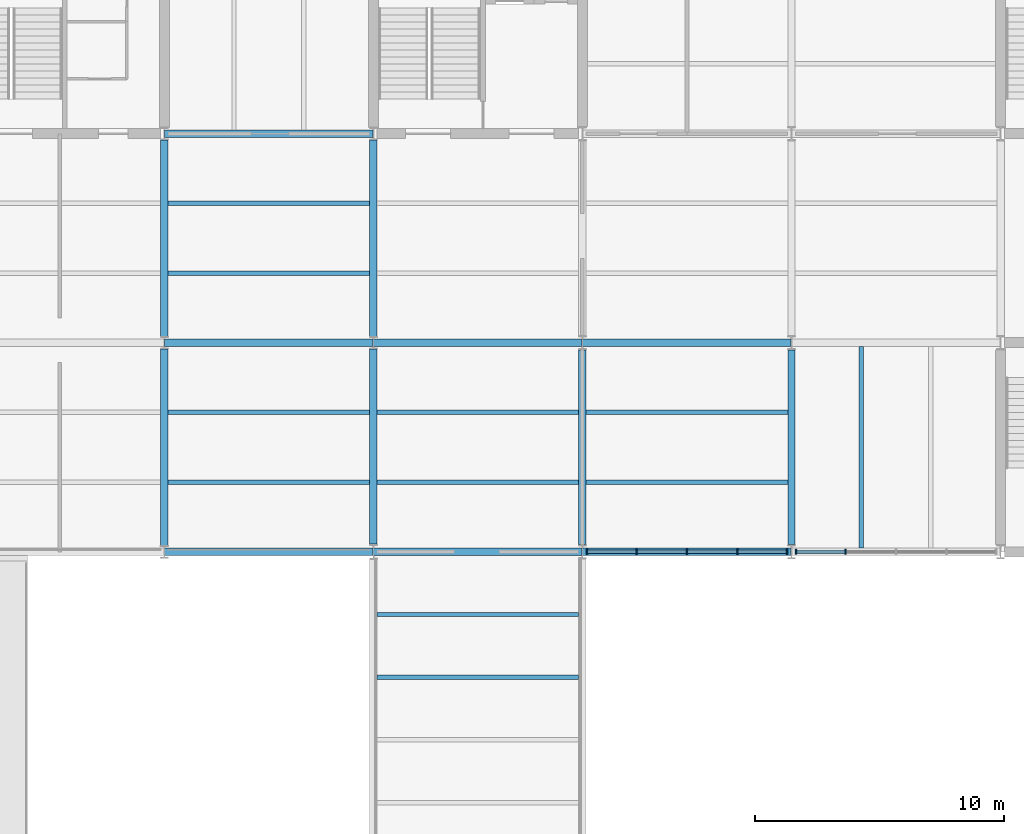
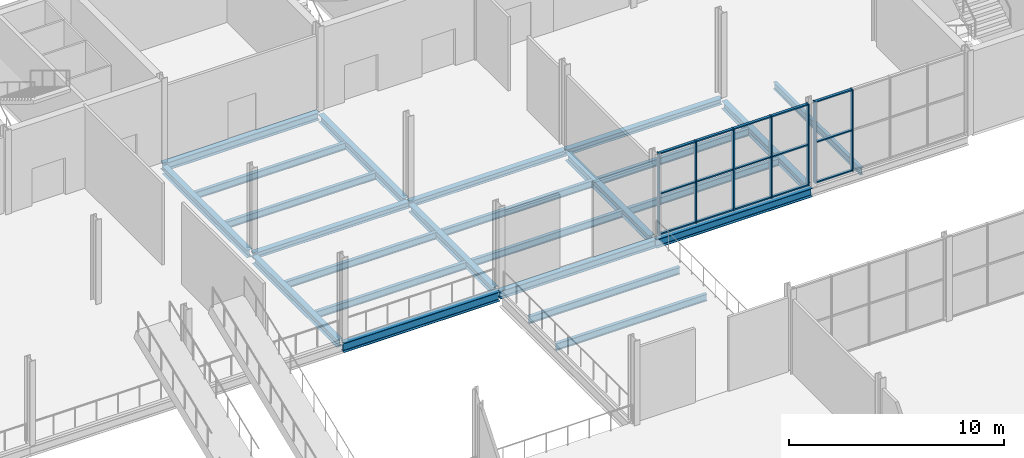
# One storey, part 25 of 61: 24 beams, 22 members, 2 elements without a shape of their own.
"""IFC4 building model written with IfcOpenShell, lengths in metres."""

from ifc_helpers import new_model, si_unit, direction, frame, origin, origin_2d, place, context, subcontext, project, spatial, rectangle, i_section, extrude, material, layer, layer_set, material_profile, profile_set, type_object, element, aggregate, save


model = new_model("IFC4")

# Units and contexts
model_context = context("Model", 3, precision=1e-05, world=origin(), true_north=direction((0.0, 1.0)))
body_context = subcontext(model_context, "Body", "Model", "MODEL_VIEW")
ifc_project = project(units=[si_unit("LENGTHUNIT", "METRE"), si_unit("AREAUNIT", "SQUARE_METRE"), si_unit("VOLUMEUNIT", "CUBIC_METRE"), si_unit("PLANEANGLEUNIT", "RADIAN"), si_unit("MASSUNIT", "GRAM", prefix="KILO")], contexts=[model_context])

# Site, building, storey
site_placement = place(None, origin())
site = spatial("IfcSite", under=ifc_project, at=site_placement, CompositionType="ELEMENT")
building_placement = place(site_placement, origin())
building = spatial("IfcBuilding", under=site, at=building_placement, Name="Galleria Vessillo Department Store", CompositionType="ELEMENT")
storey_placement = place(building_placement, frame((0.0, 0.0, 11.39990234375)))
storey = spatial("IfcBuildingStorey", under=building, at=storey_placement, Name="L02", CompositionType="ELEMENT", Elevation=11.39990234375)

# Curtain wall, members
ifc_material_1 = material(Name="Aluminium and glass curtain wall", Category="aluminium")
ifc_layer = layer(ifc_material_1, 0.199951171875)
ifc_layer_set = layer_set([ifc_layer], Name="Aluminium and glass curtain wall")
curtain_wall_type = type_object("IfcCurtainWallType", Name="Arcade curtain wall CW1 2100 module", PredefinedType="NOTDEFINED", material=ifc_layer_set)
curtain_wall_1_placement = place(storey_placement, origin())
curtain_wall_1 = element("IfcCurtainWall", 1, at=curtain_wall_1_placement, inside=storey, type_object=curtain_wall_type, Name="Arcade curtain wall CW1 2100 module AI-AE-N-L02-01", PredefinedType="NOTDEFINED")
ifc_material_2 = material(Name="Aluminium alloy 6063 T6", Category="aluminium")
ifc_material_profile_1 = material_profile(ifc_material_2, rectangle(XDim=0.199951171875, YDim=0.06005859375, at=origin_2d()), Name="AL 60x200")
ifc_profile_set_1 = profile_set([ifc_material_profile_1], Name="Aluminium alloy 6063 T6")
member_type_1 = type_object("IfcMemberType", Name="Aluminium mullion 60 x 200", PredefinedType="MULLION", material=ifc_profile_set_1)
member_1_placement = place(storey_placement, frame((84.18310546875, 37.800048828125, 0.0), z_axis=(0.0, 0.0, 1.0), x_axis=(0.0, 1.0, 0.0)))
member_1 = element("IfcMember", 2, at=member_1_placement, type_object=member_type_1, Name="CW1 mullion 1", PredefinedType="MULLION", context=body_context, shape_type="SweptSolid", body=[
    extrude(rectangle(XDim=0.199951171875, YDim=0.06005859375, at=origin_2d()), origin(), (0.0, 0.0, 1.0), 4.650146484375),
])
member_2_placement = place(storey_placement, frame((86.176513671875, 37.800048828125, 0.0), z_axis=(0.0, 0.0, 1.0), x_axis=(0.0, 1.0, 0.0)))
member_2 = element("IfcMember", 3, at=member_2_placement, type_object=member_type_1, Name="CW1 mullion 2", PredefinedType="MULLION", context=body_context, shape_type="SweptSolid", body=[
    extrude(rectangle(XDim=0.199951171875, YDim=0.06005859375, at=origin_2d()), origin(), (0.0, 0.0, 1.0), 4.650146484375),
])
member_3_placement = place(storey_placement, frame((88.199951171875, 37.800048828125, 0.0), z_axis=(0.0, 0.0, 1.0), x_axis=(0.0, 1.0, 0.0)))
member_3 = element("IfcMember", 4, at=member_3_placement, type_object=member_type_1, Name="CW1 mullion 3", PredefinedType="MULLION", context=body_context, shape_type="SweptSolid", body=[
    extrude(rectangle(XDim=0.199951171875, YDim=0.06005859375, at=origin_2d()), origin(), (0.0, 0.0, 1.0), 4.650146484375),
])
member_4_placement = place(storey_placement, frame((90.223388671875, 37.800048828125, 0.0), z_axis=(0.0, 0.0, 1.0), x_axis=(0.0, 1.0, 0.0)))
member_4 = element("IfcMember", 5, at=member_4_placement, type_object=member_type_1, Name="CW1 mullion 4", PredefinedType="MULLION", context=body_context, shape_type="SweptSolid", body=[
    extrude(rectangle(XDim=0.199951171875, YDim=0.06005859375, at=origin_2d()), origin(), (0.0, 0.0, 1.0), 4.650146484375),
])
member_5_placement = place(storey_placement, frame((92.216796875, 37.800048828125, 0.0), z_axis=(0.0, 0.0, 1.0), x_axis=(0.0, 1.0, 0.0)))
member_5 = element("IfcMember", 6, at=member_5_placement, type_object=member_type_1, Name="CW1 mullion 5", PredefinedType="MULLION", context=body_context, shape_type="SweptSolid", body=[
    extrude(rectangle(XDim=0.199951171875, YDim=0.06005859375, at=origin_2d()), origin(), (0.0, 0.0, 1.0), 4.650146484375),
])

curtain_wall_2_placement = place(storey_placement, origin())
curtain_wall_2 = element("IfcCurtainWall", 7, at=curtain_wall_2_placement, inside=storey, type_object=curtain_wall_type, Name="Arcade curtain wall CW1 2100 module AI-AE-N-L02-02", PredefinedType="NOTDEFINED")
member_6_placement = place(storey_placement, frame((92.5830078125, 37.800048828125, 0.0), z_axis=(0.0, 0.0, 1.0), x_axis=(0.0, 1.0, 0.0)))
member_6 = element("IfcMember", 8, at=member_6_placement, type_object=member_type_1, Name="CW1 mullion 1", PredefinedType="MULLION", context=body_context, shape_type="SweptSolid", body=[
    extrude(rectangle(XDim=0.199951171875, YDim=0.06005859375, at=origin_2d()), origin(), (0.0, 0.0, 1.0), 4.650146484375),
])
member_7_placement = place(storey_placement, frame((94.576416015625, 37.800048828125, 0.0), z_axis=(0.0, 0.0, 1.0), x_axis=(0.0, 1.0, 0.0)))
member_7 = element("IfcMember", 9, at=member_7_placement, type_object=member_type_1, Name="CW1 mullion 2", PredefinedType="MULLION", context=body_context, shape_type="SweptSolid", body=[
    extrude(rectangle(XDim=0.199951171875, YDim=0.06005859375, at=origin_2d()), origin(), (0.0, 0.0, 1.0), 4.650146484375),
])

# Member
ifc_material_3 = material(Name="Aluminium alloy 6063 T6", Category="aluminium")
ifc_material_profile_2 = material_profile(ifc_material_3, rectangle(XDim=0.139892578125, YDim=0.070068359375, at=origin_2d()), Name="AL 70x140")
ifc_profile_set_2 = profile_set([ifc_material_profile_2], Name="Aluminium alloy 6063 T6")
member_type_2 = type_object("IfcMemberType", Name="Aluminium transom 70 x 140", PredefinedType="USERDEFINED", material=ifc_profile_set_2)
member_8_placement = place(storey_placement, frame((84.213134765625, 37.800048828125, 0.034912109375), z_axis=(1.0, 0.0, 0.0), x_axis=(0.0, 1.0, 0.0)))
member_8 = element("IfcMember", 10, at=member_8_placement, type_object=member_type_2, Name="CW1 transom 1.1", ObjectType="TRANSOM", PredefinedType="USERDEFINED", context=body_context, shape_type="SweptSolid", body=[
    extrude(rectangle(XDim=0.139892578125, YDim=0.070068359375, at=origin_2d()), origin(), (0.0, 0.0, 1.0), 1.933349609375),
])

member_9_placement = place(storey_placement, frame((84.213134765625, 37.800048828125, 2.3251953125), z_axis=(1.0, 0.0, 0.0), x_axis=(0.0, 1.0, 0.0)))
member_9 = element("IfcMember", 11, at=member_9_placement, type_object=member_type_2, Name="CW1 transom 1.2", ObjectType="TRANSOM", PredefinedType="USERDEFINED", context=body_context, shape_type="SweptSolid", body=[
    extrude(rectangle(XDim=0.139892578125, YDim=0.070068359375, at=origin_2d()), origin(), (0.0, 0.0, 1.0), 1.933349609375),
])

member_10_placement = place(storey_placement, frame((84.213134765625, 37.800048828125, 4.615234375), z_axis=(1.0, 0.0, 0.0), x_axis=(0.0, 1.0, 0.0)))
member_10 = element("IfcMember", 12, at=member_10_placement, type_object=member_type_2, Name="CW1 transom 1.3", ObjectType="TRANSOM", PredefinedType="USERDEFINED", context=body_context, shape_type="SweptSolid", body=[
    extrude(rectangle(XDim=0.139892578125, YDim=0.070068359375, at=origin_2d()), origin(), (0.0, 0.0, 1.0), 1.933349609375),
])

member_11_placement = place(storey_placement, frame((86.20654296875, 37.800048828125, 0.034912109375), z_axis=(1.0, 0.0, 0.0), x_axis=(0.0, 1.0, 0.0)))
member_11 = element("IfcMember", 13, at=member_11_placement, type_object=member_type_2, Name="CW1 transom 2.1", ObjectType="TRANSOM", PredefinedType="USERDEFINED", context=body_context, shape_type="SweptSolid", body=[
    extrude(rectangle(XDim=0.139892578125, YDim=0.070068359375, at=origin_2d()), origin(), (0.0, 0.0, 1.0), 1.96337890625),
])

member_12_placement = place(storey_placement, frame((86.20654296875, 37.800048828125, 2.3251953125), z_axis=(1.0, 0.0, 0.0), x_axis=(0.0, 1.0, 0.0)))
member_12 = element("IfcMember", 14, at=member_12_placement, type_object=member_type_2, Name="CW1 transom 2.2", ObjectType="TRANSOM", PredefinedType="USERDEFINED", context=body_context, shape_type="SweptSolid", body=[
    extrude(rectangle(XDim=0.139892578125, YDim=0.070068359375, at=origin_2d()), origin(), (0.0, 0.0, 1.0), 1.96337890625),
])

member_13_placement = place(storey_placement, frame((86.20654296875, 37.800048828125, 4.615234375), z_axis=(1.0, 0.0, 0.0), x_axis=(0.0, 1.0, 0.0)))
member_13 = element("IfcMember", 15, at=member_13_placement, type_object=member_type_2, Name="CW1 transom 2.3", ObjectType="TRANSOM", PredefinedType="USERDEFINED", context=body_context, shape_type="SweptSolid", body=[
    extrude(rectangle(XDim=0.139892578125, YDim=0.070068359375, at=origin_2d()), origin(), (0.0, 0.0, 1.0), 1.96337890625),
])

member_14_placement = place(storey_placement, frame((88.22998046875, 37.800048828125, 0.034912109375), z_axis=(1.0, 0.0, 0.0), x_axis=(0.0, 1.0, 0.0)))
member_14 = element("IfcMember", 16, at=member_14_placement, type_object=member_type_2, Name="CW1 transom 3.1", ObjectType="TRANSOM", PredefinedType="USERDEFINED", context=body_context, shape_type="SweptSolid", body=[
    extrude(rectangle(XDim=0.139892578125, YDim=0.070068359375, at=origin_2d()), origin(), (0.0, 0.0, 1.0), 1.96337890625),
])

member_15_placement = place(storey_placement, frame((88.22998046875, 37.800048828125, 2.3251953125), z_axis=(1.0, 0.0, 0.0), x_axis=(0.0, 1.0, 0.0)))
member_15 = element("IfcMember", 17, at=member_15_placement, type_object=member_type_2, Name="CW1 transom 3.2", ObjectType="TRANSOM", PredefinedType="USERDEFINED", context=body_context, shape_type="SweptSolid", body=[
    extrude(rectangle(XDim=0.139892578125, YDim=0.070068359375, at=origin_2d()), origin(), (0.0, 0.0, 1.0), 1.96337890625),
])

member_16_placement = place(storey_placement, frame((88.22998046875, 37.800048828125, 4.615234375), z_axis=(1.0, 0.0, 0.0), x_axis=(0.0, 1.0, 0.0)))
member_16 = element("IfcMember", 18, at=member_16_placement, type_object=member_type_2, Name="CW1 transom 3.3", ObjectType="TRANSOM", PredefinedType="USERDEFINED", context=body_context, shape_type="SweptSolid", body=[
    extrude(rectangle(XDim=0.139892578125, YDim=0.070068359375, at=origin_2d()), origin(), (0.0, 0.0, 1.0), 1.96337890625),
])

member_17_placement = place(storey_placement, frame((90.25341796875, 37.800048828125, 0.034912109375), z_axis=(1.0, 0.0, 0.0), x_axis=(0.0, 1.0, 0.0)))
member_17 = element("IfcMember", 19, at=member_17_placement, type_object=member_type_2, Name="CW1 transom 4.1", ObjectType="TRANSOM", PredefinedType="USERDEFINED", context=body_context, shape_type="SweptSolid", body=[
    extrude(rectangle(XDim=0.139892578125, YDim=0.070068359375, at=origin_2d()), origin(), (0.0, 0.0, 1.0), 1.933349609375),
])

member_18_placement = place(storey_placement, frame((90.25341796875, 37.800048828125, 2.3251953125), z_axis=(1.0, 0.0, 0.0), x_axis=(0.0, 1.0, 0.0)))
member_18 = element("IfcMember", 20, at=member_18_placement, type_object=member_type_2, Name="CW1 transom 4.2", ObjectType="TRANSOM", PredefinedType="USERDEFINED", context=body_context, shape_type="SweptSolid", body=[
    extrude(rectangle(XDim=0.139892578125, YDim=0.070068359375, at=origin_2d()), origin(), (0.0, 0.0, 1.0), 1.933349609375),
])

member_19_placement = place(storey_placement, frame((90.25341796875, 37.800048828125, 4.615234375), z_axis=(1.0, 0.0, 0.0), x_axis=(0.0, 1.0, 0.0)))
member_19 = element("IfcMember", 21, at=member_19_placement, type_object=member_type_2, Name="CW1 transom 4.3", ObjectType="TRANSOM", PredefinedType="USERDEFINED", context=body_context, shape_type="SweptSolid", body=[
    extrude(rectangle(XDim=0.139892578125, YDim=0.070068359375, at=origin_2d()), origin(), (0.0, 0.0, 1.0), 1.933349609375),
])

aggregate(curtain_wall_1, [member_1, member_2, member_3, member_4, member_5, member_8, member_9, member_10, member_11, member_12, member_13, member_14, member_15, member_16, member_17, member_18, member_19])

member_20_placement = place(storey_placement, frame((92.613037109375, 37.800048828125, 0.034912109375), z_axis=(1.0, 0.0, 0.0), x_axis=(0.0, 1.0, 0.0)))
member_20 = element("IfcMember", 22, at=member_20_placement, type_object=member_type_2, Name="CW1 transom 1.1", ObjectType="TRANSOM", PredefinedType="USERDEFINED", context=body_context, shape_type="SweptSolid", body=[
    extrude(rectangle(XDim=0.139892578125, YDim=0.070068359375, at=origin_2d()), origin(), (0.0, 0.0, 1.0), 1.933349609375),
])

member_21_placement = place(storey_placement, frame((92.613037109375, 37.800048828125, 2.3251953125), z_axis=(1.0, 0.0, 0.0), x_axis=(0.0, 1.0, 0.0)))
member_21 = element("IfcMember", 23, at=member_21_placement, type_object=member_type_2, Name="CW1 transom 1.2", ObjectType="TRANSOM", PredefinedType="USERDEFINED", context=body_context, shape_type="SweptSolid", body=[
    extrude(rectangle(XDim=0.139892578125, YDim=0.070068359375, at=origin_2d()), origin(), (0.0, 0.0, 1.0), 1.933349609375),
])

member_22_placement = place(storey_placement, frame((92.613037109375, 37.800048828125, 4.615234375), z_axis=(1.0, 0.0, 0.0), x_axis=(0.0, 1.0, 0.0)))
member_22 = element("IfcMember", 24, at=member_22_placement, type_object=member_type_2, Name="CW1 transom 1.3", ObjectType="TRANSOM", PredefinedType="USERDEFINED", context=body_context, shape_type="SweptSolid", body=[
    extrude(rectangle(XDim=0.139892578125, YDim=0.070068359375, at=origin_2d()), origin(), (0.0, 0.0, 1.0), 1.933349609375),
])

aggregate(curtain_wall_2, [member_6, member_7, member_20, member_21, member_22])

# Beams
ifc_material_4 = material(Name="Steel S355 J2", Category="steel")
ifc_material_profile_3 = material_profile(ifc_material_4, i_section(OverallWidth=0.300048828125, OverallDepth=0.43994140625, WebThickness=0.011474609375, FlangeThickness=0.02099609375, FilletRadius=0.027099609375, at=origin_2d()), Name="HEA 450")
ifc_profile_set_3 = profile_set([ifc_material_profile_3], Name="Steel S355 J2")
beam_type_1 = type_object("IfcBeamType", Name="Bridge girder HEA 450", PredefinedType="BEAM", material=ifc_profile_set_3)
beam_1_placement = place(storey_placement, frame((75.610595703125, 37.800048828125, -0.369873046875), z_axis=(1.0, 0.0, 0.0), x_axis=(0.0, 1.0, 0.0)))
element("IfcBeam", 25, at=beam_1_placement, inside=storey, type_object=beam_type_1, Name="S-BM-L02-BR-x37800-75611", PredefinedType="BEAM", context=body_context, shape_type="SweptSolid", body=[
    extrude(i_section(OverallWidth=0.300048828125, OverallDepth=0.43994140625, WebThickness=0.011474609375, FlangeThickness=0.02099609375, FilletRadius=0.027099609375, at=origin_2d()), origin(), (0.0, 0.0, 1.0), 8.378662109375),
])
ifc_material_5 = material(Name="Steel S355 J2", Category="steel")
ifc_material_profile_4 = material_profile(ifc_material_5, i_section(OverallWidth=0.300048828125, OverallDepth=0.43994140625, WebThickness=0.011474609375, FlangeThickness=0.02099609375, FilletRadius=0.027099609375, at=origin_2d()), Name="HEA 450")
ifc_profile_set_4 = profile_set([ifc_material_profile_4], Name="Steel S355 J2")
beam_type_2 = type_object("IfcBeamType", Name="Floor girder HEA 450", PredefinedType="BEAM", material=ifc_profile_set_4)
beam_2_placement = place(storey_placement, frame((67.207275390625, 54.60009765625, -0.369873046875), z_axis=(1.0, 0.0, 0.0), x_axis=(0.0, 1.0, 0.0)))
element("IfcBeam", 26, at=beam_2_placement, inside=storey, type_object=beam_type_2, Name="S-BM-L02-GI-x54600-67207", PredefinedType="BEAM", context=body_context, shape_type="SweptSolid", body=[
    extrude(i_section(OverallWidth=0.300048828125, OverallDepth=0.43994140625, WebThickness=0.011474609375, FlangeThickness=0.02099609375, FilletRadius=0.027099609375, at=origin_2d()), origin(), (0.0, 0.0, 1.0), 8.38525390625),
])
beam_3_placement = place(storey_placement, frame((67.199951171875, 38.06201171875, -0.369873046875), z_axis=(0.0, 1.0, 0.0), x_axis=(-1.0, 0.0, 0.0)))
element("IfcBeam", 27, at=beam_3_placement, inside=storey, type_object=beam_type_2, Name="S-BM-L02-GI-y67200-38062", PredefinedType="BEAM", context=body_context, shape_type="SweptSolid", body=[
    extrude(i_section(OverallWidth=0.300048828125, OverallDepth=0.43994140625, WebThickness=0.011474609375, FlangeThickness=0.02099609375, FilletRadius=0.027099609375, at=origin_2d()), origin(), (0.0, 0.0, 1.0), 7.887939453125),
])
beam_4_placement = place(storey_placement, frame((67.199951171875, 46.4501953125, -0.369873046875), z_axis=(0.0, 1.0, 0.0), x_axis=(-1.0, 0.0, 0.0)))
element("IfcBeam", 28, at=beam_4_placement, inside=storey, type_object=beam_type_2, Name="S-BM-L02-GI-y67200-46450", PredefinedType="BEAM", context=body_context, shape_type="SweptSolid", body=[
    extrude(i_section(OverallWidth=0.300048828125, OverallDepth=0.43994140625, WebThickness=0.011474609375, FlangeThickness=0.02099609375, FilletRadius=0.027099609375, at=origin_2d()), origin(), (0.0, 0.0, 1.0), 7.899658203125),
])
beam_5_placement = place(storey_placement, frame((75.60009765625, 38.110107421875, -0.369873046875), z_axis=(0.0, 1.0, 0.0), x_axis=(-1.0, 0.0, 0.0)))
element("IfcBeam", 29, at=beam_5_placement, inside=storey, type_object=beam_type_2, Name="S-BM-L02-GI-y75600-38110", PredefinedType="BEAM", context=body_context, shape_type="SweptSolid", body=[
    extrude(i_section(OverallWidth=0.300048828125, OverallDepth=0.43994140625, WebThickness=0.011474609375, FlangeThickness=0.02099609375, FilletRadius=0.027099609375, at=origin_2d()), origin(), (0.0, 0.0, 1.0), 7.83984375),
])
beam_6_placement = place(storey_placement, frame((75.60009765625, 46.4501953125, -0.369873046875), z_axis=(0.0, 1.0, 0.0), x_axis=(-1.0, 0.0, 0.0)))
element("IfcBeam", 30, at=beam_6_placement, inside=storey, type_object=beam_type_2, Name="S-BM-L02-GI-y75600-46450", PredefinedType="BEAM", context=body_context, shape_type="SweptSolid", body=[
    extrude(i_section(OverallWidth=0.300048828125, OverallDepth=0.43994140625, WebThickness=0.011474609375, FlangeThickness=0.02099609375, FilletRadius=0.027099609375, at=origin_2d()), origin(), (0.0, 0.0, 1.0), 7.899658203125),
])
for number, where, z_axis, x_axis, name in (
    (31, (84.0, 38.086181640625, -0.369873046875), (0.0, 1.0, 0.0), (-1.0, 0.0, 0.0), "S-BM-L02-GI-y84000-38086"),
    (32, (92.39990234375, 38.086181640625, -0.369873046875), (0.0, 1.0, 0.0), (-1.0, 0.0, 0.0), "S-BM-L02-GI-y92400-38086"),
):
    element("IfcBeam", number, at=place(storey_placement, frame(where, z_axis=z_axis, x_axis=x_axis)), inside=storey, type_object=beam_type_2, Name=name, PredefinedType="BEAM", context=body_context, shape_type="SweptSolid", body=[
        extrude(i_section(OverallWidth=0.300048828125, OverallDepth=0.43994140625, WebThickness=0.011474609375, FlangeThickness=0.02099609375, FilletRadius=0.027099609375, at=origin_2d()), origin(), (0.0, 0.0, 1.0), 7.82763671875),
    ])
ifc_material_6 = material(Name="Steel S355 J2", Category="steel")
ifc_material_profile_5 = material_profile(ifc_material_6, i_section(OverallWidth=0.179931640625, OverallDepth=0.39990234375, WebThickness=0.008544921875, FlangeThickness=0.013427734375, FilletRadius=0.02099609375, at=origin_2d()), Name="IPE 400")
ifc_profile_set_5 = profile_set([ifc_material_profile_5], Name="Steel S355 J2")
beam_type_3 = type_object("IfcBeamType", Name="Floor joist IPE 400", PredefinedType="JOIST", material=ifc_profile_set_5)
for number, where, z_axis, x_axis, name in (
    (33, (67.35009765625, 40.60009765625, -0.349853515625), (1.0, 0.0, 0.0), (0.0, 1.0, 0.0), "S-BM-L02-JO-x40600-67350"),
    (34, (67.35009765625, 43.39990234375, -0.349853515625), (1.0, 0.0, 0.0), (0.0, 1.0, 0.0), "S-BM-L02-JO-x43400-67350"),
    (35, (67.35009765625, 49.0, -0.349853515625), (1.0, 0.0, 0.0), (0.0, 1.0, 0.0), "S-BM-L02-JO-x49000-67350"),
    (36, (67.35009765625, 51.800048828125, -0.349853515625), (1.0, 0.0, 0.0), (0.0, 1.0, 0.0), "S-BM-L02-JO-x51800-67350"),
):
    element("IfcBeam", number, at=place(storey_placement, frame(where, z_axis=z_axis, x_axis=x_axis)), inside=storey, type_object=beam_type_3, Name=name, PredefinedType="JOIST", context=body_context, shape_type="SweptSolid", body=[
        extrude(i_section(OverallWidth=0.179931640625, OverallDepth=0.39990234375, WebThickness=0.008544921875, FlangeThickness=0.013427734375, FilletRadius=0.02099609375, at=origin_2d()), origin(), (0.0, 0.0, 1.0), 8.099853515625),
    ])
for number, where, z_axis, x_axis, name in (
    (37, (75.750244140625, 32.760009765625, -0.349853515625), (1.0, 0.0, 0.0), (0.0, 1.0, 0.0), "S-BM-L02-JO-x32760-75750"),
    (38, (75.750244140625, 35.280029296875, -0.349853515625), (1.0, 0.0, 0.0), (0.0, 1.0, 0.0), "S-BM-L02-JO-x35280-75750"),
    (39, (75.750244140625, 40.60009765625, -0.349853515625), (1.0, 0.0, 0.0), (0.0, 1.0, 0.0), "S-BM-L02-JO-x40600-75750"),
    (40, (75.750244140625, 43.39990234375, -0.349853515625), (1.0, 0.0, 0.0), (0.0, 1.0, 0.0), "S-BM-L02-JO-x43400-75750"),
    (41, (84.150146484375, 40.60009765625, -0.349853515625), (1.0, 0.0, 0.0), (0.0, 1.0, 0.0), "S-BM-L02-JO-x40600-84150"),
    (42, (84.150146484375, 43.39990234375, -0.349853515625), (1.0, 0.0, 0.0), (0.0, 1.0, 0.0), "S-BM-L02-JO-x43400-84150"),
    (43, (95.199951171875, 37.9501953125, -0.349853515625), (0.0, 1.0, 0.0), (-1.0, 0.0, 0.0), "S-BM-L02-JO-y95200-37950"),
):
    element("IfcBeam", number, at=place(storey_placement, frame(where, z_axis=z_axis, x_axis=x_axis)), inside=storey, type_object=beam_type_3, Name=name, PredefinedType="JOIST", context=body_context, shape_type="SweptSolid", body=[
        extrude(i_section(OverallWidth=0.179931640625, OverallDepth=0.39990234375, WebThickness=0.008544921875, FlangeThickness=0.013427734375, FilletRadius=0.02099609375, at=origin_2d()), origin(), (0.0, 0.0, 1.0), 8.099609375),
    ])
ifc_material_7 = material(Name="Steel S355 J2", Category="steel")
ifc_material_profile_6 = material_profile(ifc_material_7, i_section(OverallWidth=0.300048828125, OverallDepth=0.330078125, WebThickness=0.009521484375, FlangeThickness=0.0166015625, FilletRadius=0.027099609375, at=origin_2d()), Name="HEA 340")
ifc_profile_set_6 = profile_set([ifc_material_profile_6], Name="Steel S355 J2")
beam_type_4 = type_object("IfcBeamType", Name="Floor tie girder HEA 340", PredefinedType="BEAM", material=ifc_profile_set_6)
beam_7_placement = place(storey_placement, frame((67.207275390625, 46.199951171875, -0.31494140625), z_axis=(1.0, 0.0, 0.0), x_axis=(0.0, 1.0, 0.0)))
element("IfcBeam", 44, at=beam_7_placement, inside=storey, type_object=beam_type_4, Name="S-BM-L02-TI-x46200-67207", PredefinedType="BEAM", context=body_context, shape_type="SweptSolid", body=[
    extrude(i_section(OverallWidth=0.300048828125, OverallDepth=0.330078125, WebThickness=0.009521484375, FlangeThickness=0.0166015625, FilletRadius=0.027099609375, at=origin_2d()), origin(), (0.0, 0.0, 1.0), 8.38525390625),
])
beam_8_placement = place(storey_placement, frame((75.607421875, 46.199951171875, -0.31494140625), z_axis=(1.0, 0.0, 0.0), x_axis=(0.0, 1.0, 0.0)))
element("IfcBeam", 45, at=beam_8_placement, inside=storey, type_object=beam_type_4, Name="S-BM-L02-TI-x46200-75607", PredefinedType="BEAM", context=body_context, shape_type="SweptSolid", body=[
    extrude(i_section(OverallWidth=0.300048828125, OverallDepth=0.330078125, WebThickness=0.009521484375, FlangeThickness=0.0166015625, FilletRadius=0.027099609375, at=origin_2d()), origin(), (0.0, 0.0, 1.0), 8.3818359375),
])
beam_9_placement = place(storey_placement, frame((84.0107421875, 46.199951171875, -0.31494140625), z_axis=(1.0, 0.0, 0.0), x_axis=(0.0, 1.0, 0.0)))
element("IfcBeam", 46, at=beam_9_placement, inside=storey, type_object=beam_type_4, Name="S-BM-L02-TI-x46200-84011", PredefinedType="BEAM", context=body_context, shape_type="SweptSolid", body=[
    extrude(i_section(OverallWidth=0.300048828125, OverallDepth=0.330078125, WebThickness=0.009521484375, FlangeThickness=0.0166015625, FilletRadius=0.027099609375, at=origin_2d()), origin(), (0.0, 0.0, 1.0), 8.378662109375),
])
ifc_material_8 = material(Name="Steel S355 J2", Category="steel")
ifc_material_profile_7 = material_profile(ifc_material_8, i_section(OverallWidth=0.300048828125, OverallDepth=0.489990234375, WebThickness=0.011962890625, FlangeThickness=0.02294921875, FilletRadius=0.027099609375, at=origin_2d()), Name="HEA 500")
ifc_profile_set_7 = profile_set([ifc_material_profile_7], Name="Steel S355 J2")
beam_type_5 = type_object("IfcBeamType", Name="Trimmer beam HEA 500", PredefinedType="BEAM", material=ifc_profile_set_7)
beam_10_placement = place(storey_placement, frame((84.0107421875, 37.800048828125, -0.39501953125), z_axis=(1.0, 0.0, 0.0), x_axis=(0.0, 1.0, 0.0)))
element("IfcBeam", 47, at=beam_10_placement, inside=storey, type_object=beam_type_5, Name="S-BM-L02-TR-x37800-84011", PredefinedType="BEAM", context=body_context, shape_type="SweptSolid", body=[
    extrude(i_section(OverallWidth=0.300048828125, OverallDepth=0.489990234375, WebThickness=0.011962890625, FlangeThickness=0.02294921875, FilletRadius=0.027099609375, at=origin_2d()), origin(), (0.0, 0.0, 1.0), 8.378662109375),
])
ifc_material_9 = material(Name="Steel S355 J2", Category="steel")
ifc_material_profile_8 = material_profile(ifc_material_9, i_section(OverallWidth=0.300048828125, OverallDepth=0.5400390625, WebThickness=0.012451171875, FlangeThickness=0.02392578125, FilletRadius=0.027099609375, at=origin_2d()), Name="HEA 550")
ifc_profile_set_8 = profile_set([ifc_material_profile_8], Name="Steel S355 J2")
beam_type_6 = type_object("IfcBeamType", Name="Trimmer beam HEA 550", PredefinedType="BEAM", material=ifc_profile_set_8)
beam_11_placement = place(storey_placement, frame((67.210693359375, 37.800048828125, -0.419921875), z_axis=(1.0, 0.0, 0.0), x_axis=(0.0, 1.0, 0.0)))
element("IfcBeam", 48, at=beam_11_placement, inside=storey, type_object=beam_type_6, Name="S-BM-L02-TR-x37800-67211", PredefinedType="BEAM", context=body_context, shape_type="SweptSolid", body=[
    extrude(i_section(OverallWidth=0.300048828125, OverallDepth=0.5400390625, WebThickness=0.012451171875, FlangeThickness=0.02392578125, FilletRadius=0.027099609375, at=origin_2d()), origin(), (0.0, 0.0, 1.0), 8.378662109375),
])

save(model, "model.ifc")
